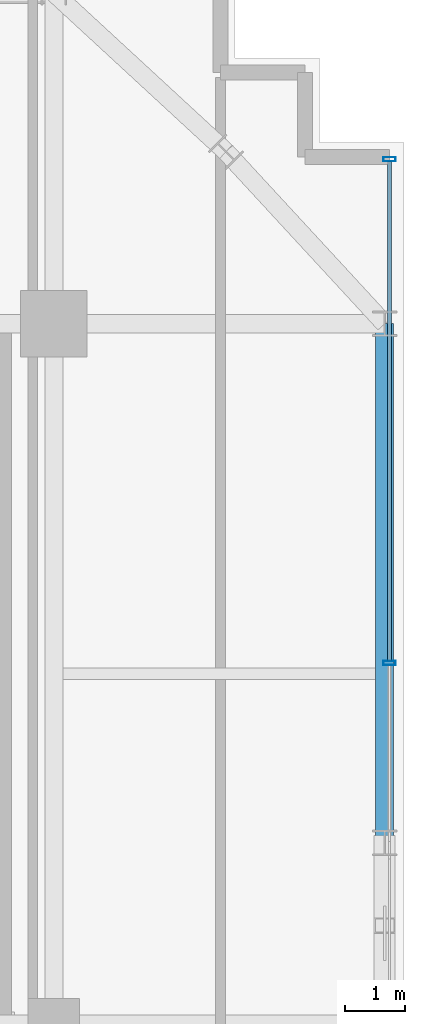
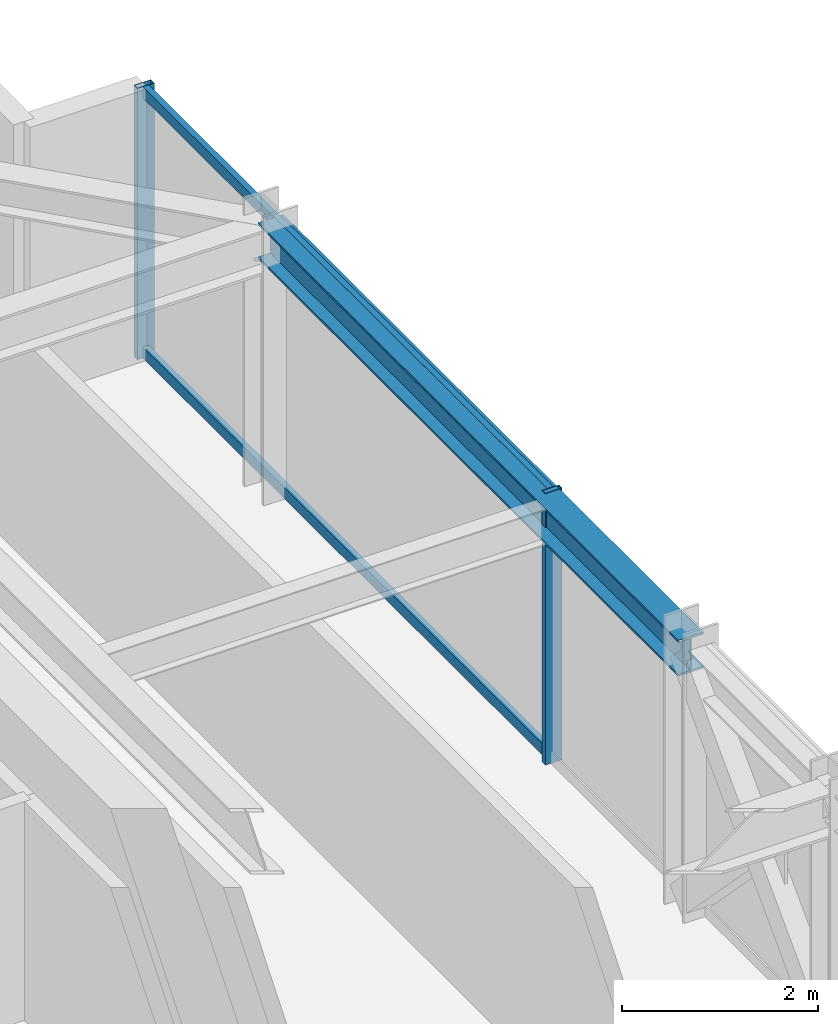
# One storey, part 25 of 35: 4 members, 1 beam, 1 element without a shape of its own.
"""IFC4 building model written with IfcOpenShell, lengths in metres."""

from ifc_helpers import new_model, si_unit, direction, frame, origin, origin_2d, place, context, subcontext, project, spatial, hollow_rectangle, i_section, extrude, source, transform, mapped, material, material_profile, profile_set, type_object, element, aggregate, save


model = new_model("IFC4")

# Units and contexts
model_context = context("Model", 3, precision=1e-05, world=origin(), true_north=direction((0.0, 1.0)))
body_context = subcontext(model_context, "Body", "Model", "MODEL_VIEW")
ifc_project = project(units=[si_unit("LENGTHUNIT", "METRE"), si_unit("AREAUNIT", "SQUARE_METRE"), si_unit("VOLUMEUNIT", "CUBIC_METRE"), si_unit("PLANEANGLEUNIT", "RADIAN"), si_unit("MASSUNIT", "GRAM", prefix="KILO")], contexts=[model_context])

# Site, building, storey
site_placement = place(None, origin())
site = spatial("IfcSite", under=ifc_project, at=site_placement, CompositionType="ELEMENT")
building_placement = place(site_placement, origin())
building = spatial("IfcBuilding", under=site, at=building_placement, Name="Nahalor Promenade Grand Hotel", CompositionType="ELEMENT")
storey_placement = place(building_placement, frame((0.0, 0.0, 185.5)))
storey = spatial("IfcBuildingStorey", under=building, at=storey_placement, Name="L47", CompositionType="ELEMENT", Elevation=185.5)

# Beam
ifc_material_1 = material(Name="Steel S355JR", Category="steel")
ifc_material_profile_1 = material_profile(ifc_material_1, i_section(OverallWidth=0.3, OverallDepth=0.45, WebThickness=0.014, FlangeThickness=0.026, at=origin_2d()), Name="HEB 450")
ifc_profile_set_1 = profile_set([ifc_material_profile_1], Name="Steel S355JR")
beam_type = type_object("IfcBeamType", Name="Beam-Spandrel-HEB450", PredefinedType="SPANDREL", material=ifc_profile_set_1)
shared_shape_1 = source(origin(), body_context, "Body", "SweptSolid", [
    extrude(i_section(OverallWidth=0.3, OverallDepth=0.45, WebThickness=0.014, FlangeThickness=0.026, at=origin_2d()), origin(), (0.0, 0.0, 1.0), 8.60009765625),
])
beam_placement = place(storey_placement, frame((22.47998046875, 8.39990234375, 3.1650390625), z_axis=(0.0, 1.0, 0.0), x_axis=(-1.0, 0.0, 0.0)))
element("IfcBeam", 1, at=beam_placement, inside=storey, type_object=beam_type, Name="BM-L47-SP-E-4", PredefinedType="SPANDREL", context=body_context, shape_type="MappedRepresentation", body=[
    mapped(shared_shape_1, transform((0.0, 0.0, 0.0), scale=1.0)),
])

# Curtain wall, members
ifc_material_2 = material(Name="Anodised Bronze Aluminium EN AW-6063 T6", Category="aluminium")
curtain_wall_type = type_object("IfcCurtainWallType", Name="CW3 Elliptical-Void Collar Unitised Curtain Wall", PredefinedType="USERDEFINED", material=ifc_material_2)
curtain_wall_placement = place(storey_placement, origin())
curtain_wall = element("IfcCurtainWall", 2, at=curtain_wall_placement, inside=storey, type_object=curtain_wall_type, Name="L47 Curtain Wall CW-L47-E-2", ObjectType="UNITISED_CURTAIN_WALL", PredefinedType="USERDEFINED")
ifc_material_profile_2 = material_profile(ifc_material_2, hollow_rectangle(XDim=0.07, YDim=0.14, WallThickness=0.004, at=origin_2d()), Name="CWT 70x140x4")
ifc_profile_set_2 = profile_set([ifc_material_profile_2], Name="Anodised Bronze Aluminium EN AW-6063 T6")
member_type_1 = type_object("IfcMemberType", Name="CWT3 Void Collar Transom 70x140", PredefinedType="USERDEFINED", material=ifc_profile_set_2)
shared_shape_2 = source(origin(), body_context, "Body", "SweptSolid", [
    extrude(hollow_rectangle(XDim=0.07, YDim=0.14, WallThickness=0.004, at=origin_2d()), origin(), (0.0, 0.0, 1.0), 8.275390625),
])
member_1_placement = place(storey_placement, frame((22.56005859375, 11.41455078125, 0.070068359375), z_axis=(0.0, 1.0, 0.0), x_axis=(-1.0, 0.0, 0.0)))
member_1 = element("IfcMember", 3, at=member_1_placement, type_object=member_type_1, Name="CW-L47-E-2 Transom 1-0", ObjectType="TRANSOM", PredefinedType="USERDEFINED", context=body_context, shape_type="MappedRepresentation", body=[
    mapped(shared_shape_2, transform((0.0, 0.0, 0.0), scale=1.0)),
])
member_2_placement = place(storey_placement, frame((22.56005859375, 11.41455078125, 3.320068359375), z_axis=(0.0, 1.0, 0.0), x_axis=(-1.0, 0.0, 0.0)))
member_2 = element("IfcMember", 4, at=member_2_placement, type_object=member_type_1, Name="CW-L47-E-2 Transom 1-1", ObjectType="TRANSOM", PredefinedType="USERDEFINED", context=body_context, shape_type="MappedRepresentation", body=[
    mapped(shared_shape_2, transform((0.0, 0.0, 0.0), scale=1.0)),
])
ifc_material_profile_3 = material_profile(ifc_material_2, hollow_rectangle(XDim=0.07, YDim=0.2, WallThickness=0.005, at=origin_2d()), Name="CWM 70x200x5")
ifc_profile_set_3 = profile_set([ifc_material_profile_3], Name="Anodised Bronze Aluminium EN AW-6063 T6")
member_type_2 = type_object("IfcMemberType", Name="CWM3 Void Collar Mullion 70x200", PredefinedType="MULLION", material=ifc_profile_set_3)
shared_shape_3 = source(origin(), body_context, "Body", "SweptSolid", [
    extrude(hollow_rectangle(XDim=0.07, YDim=0.2, WallThickness=0.005, at=origin_2d()), origin(), (0.0, 0.0, 1.0), 3.389892578125),
])
member_3_placement = place(storey_placement, frame((22.56005859375, 11.37939453125, 0.0), z_axis=(0.0, 0.0, 1.0), x_axis=(0.0, 1.0, 0.0)))
member_3 = element("IfcMember", 5, at=member_3_placement, type_object=member_type_2, Name="CW-L47-E-2 Mullion 1", PredefinedType="MULLION", context=body_context, shape_type="MappedRepresentation", body=[
    mapped(shared_shape_3, transform((0.0, 0.0, 0.0), scale=1.0)),
])
member_4_placement = place(storey_placement, frame((22.56005859375, 19.72509765625, 0.0), z_axis=(0.0, 0.0, 1.0), x_axis=(0.0, 1.0, 0.0)))
member_4 = element("IfcMember", 6, at=member_4_placement, type_object=member_type_2, Name="CW-L47-E-2 Mullion 2", PredefinedType="MULLION", context=body_context, shape_type="MappedRepresentation", body=[
    mapped(shared_shape_3, transform((0.0, 0.0, 0.0), scale=1.0)),
])
aggregate(curtain_wall, [member_3, member_4, member_1, member_2])

save(model, "model.ifc")
